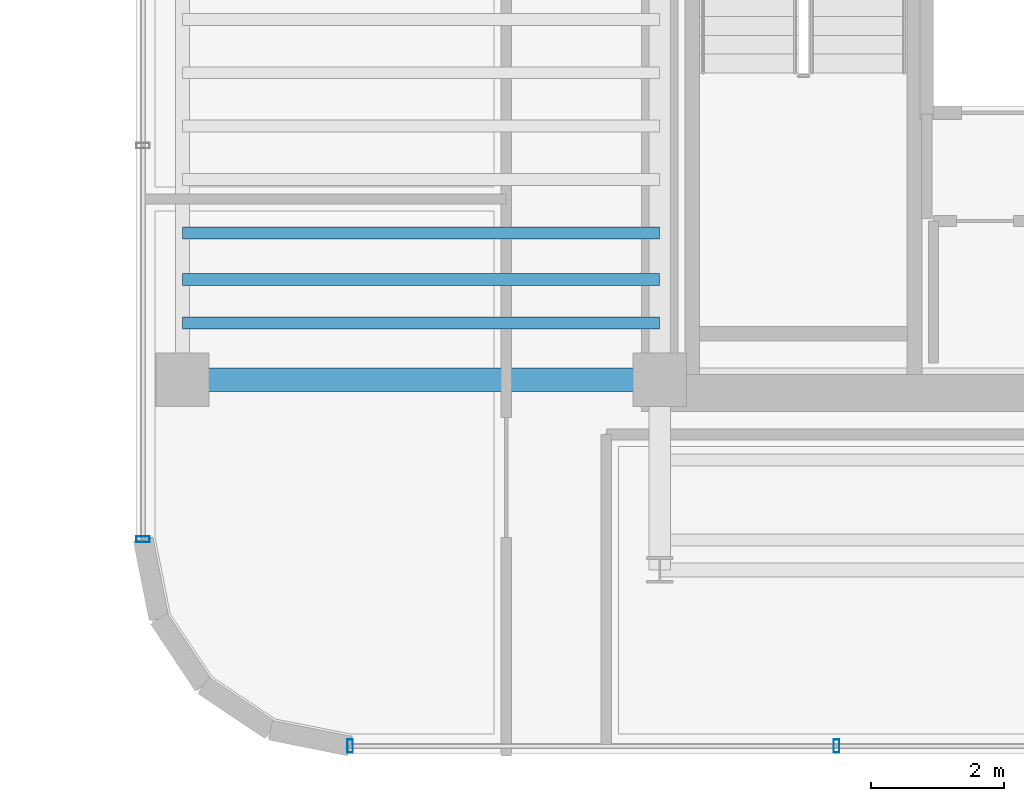
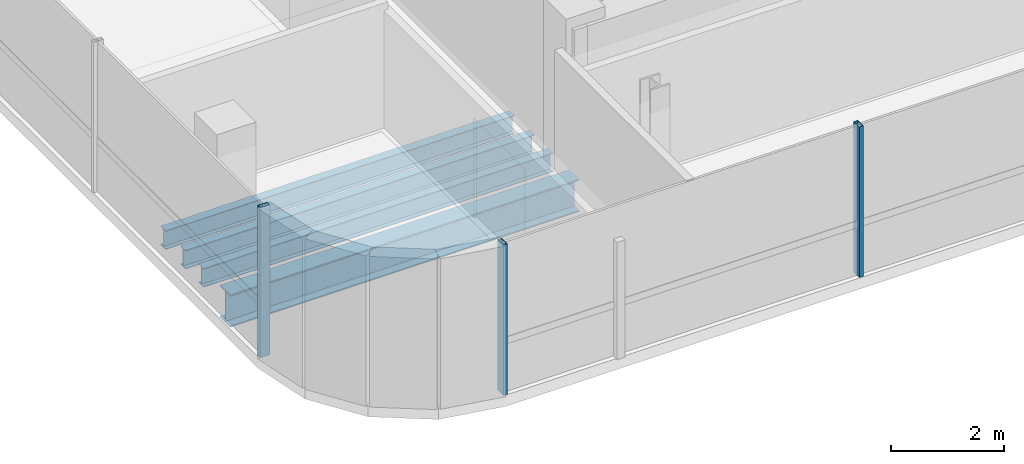
# One storey, part 2 of 21: 4 beams, 3 members, 2 elements without a shape of their own.
"""IFC4 building model written with IfcOpenShell, lengths in metres."""

from ifc_helpers import new_model, si_unit, direction, frame, origin, origin_2d, place, context, subcontext, project, spatial, hollow_rectangle, i_section, extrude, source, transform, mapped, material, material_profile, profile_set, type_object, element, aggregate, save


model = new_model("IFC4")

# Units and contexts
model_context = context("Model", 3, precision=1e-05, world=origin(), true_north=direction((0.0, 1.0)))
body_context = subcontext(model_context, "Body", "Model", "MODEL_VIEW")
ifc_project = project(units=[si_unit("LENGTHUNIT", "METRE"), si_unit("AREAUNIT", "SQUARE_METRE"), si_unit("VOLUMEUNIT", "CUBIC_METRE"), si_unit("PLANEANGLEUNIT", "RADIAN"), si_unit("MASSUNIT", "GRAM", prefix="KILO")], contexts=[model_context])

# Site, building, storey
site_placement = place(None, origin())
site = spatial("IfcSite", under=ifc_project, at=site_placement, CompositionType="ELEMENT")
building_placement = place(site_placement, origin())
building = spatial("IfcBuilding", under=site, at=building_placement, Name="Valdorenza Pilgrim Sanctuary Tower", CompositionType="ELEMENT")
storey_placement = place(building_placement, frame((0.0, 0.0, 251.0)))
storey = spatial("IfcBuildingStorey", under=building, at=storey_placement, Name="L65", CompositionType="ELEMENT", Elevation=251.0)

# Beams
ifc_material_1 = material(Name="Steel ASTM A992 Grade 50", Category="steel")
ifc_material_profile_1 = material_profile(ifc_material_1, i_section(OverallWidth=0.35595703125, OverallDepth=0.700927734375, WebThickness=0.016845703125, FlangeThickness=0.02734375, at=origin_2d()), Name="W27X161")
ifc_profile_set_1 = profile_set([ifc_material_profile_1], Name="Steel ASTM A992 Grade 50")
beam_type_1 = type_object("IfcBeamType", Name="STR-BM-GRD-W27", PredefinedType="BEAM", material=ifc_profile_set_1)
shared_shape_1 = source(origin(), body_context, "Body", "SweptSolid", [
    extrude(i_section(OverallWidth=0.35595703125, OverallDepth=0.700927734375, WebThickness=0.016845703125, FlangeThickness=0.02734375, at=origin_2d()), origin(), (0.0, 0.0, 1.0), 7.150146484375),
])
beam_placement = place(storey_placement, frame((-29.800048828125, -10.60009765625, -0.590576171875), z_axis=(1.0, 0.0, 0.0), x_axis=(0.0, 1.0, 0.0)))
element("IfcBeam", 1, at=beam_placement, inside=storey, type_object=beam_type_1, Name="L65 Floor Girder WA-XW-S1", PredefinedType="BEAM", context=body_context, shape_type="MappedRepresentation", body=[
    mapped(shared_shape_1, transform((0.0, 0.0, 0.0), x_axis=(1.0, 0.0, 0.0), y_axis=(0.0, 1.0, 0.0), z_axis=(0.0, 0.0, 1.0), scale=1.0)),
])
ifc_material_profile_2 = material_profile(ifc_material_1, i_section(OverallWidth=0.177978515625, OverallDepth=0.406005859375, WebThickness=0.0078125, FlangeThickness=0.0126953125, at=origin_2d()), Name="W16X40")
ifc_profile_set_2 = profile_set([ifc_material_profile_2], Name="Steel ASTM A992 Grade 50")
beam_type_2 = type_object("IfcBeamType", Name="STR-BM-JST-W16", PredefinedType="JOIST", material=ifc_profile_set_2)
shared_shape_2 = source(origin(), body_context, "Body", "SweptSolid", [
    extrude(i_section(OverallWidth=0.177978515625, OverallDepth=0.406005859375, WebThickness=0.0078125, FlangeThickness=0.0126953125, at=origin_2d()), origin(), (0.0, 0.0, 1.0), 7.150146484375),
])
for number, where, z_axis, x_axis, name in (
    (2, (-29.800048828125, -9.75, -0.443115234375), (1.0, 0.0, 0.0), (0.0, 1.0, 0.0), "L65 Composite Floor Joist JST-WA-1"),
    (3, (-29.800048828125, -9.10009765625, -0.443115234375), (1.0, 0.0, 0.0), (0.0, 1.0, 0.0), "L65 Composite Floor Joist JST-WA-2"),
    (4, (-29.800048828125, -8.39990234375, -0.443115234375), (1.0, 0.0, 0.0), (0.0, 1.0, 0.0), "L65 Composite Floor Joist JST-WA-3"),
):
    element("IfcBeam", number, at=place(storey_placement, frame(where, z_axis=z_axis, x_axis=x_axis)), inside=storey, type_object=beam_type_2, Name=name, PredefinedType="JOIST", context=body_context, shape_type="MappedRepresentation", body=[
        mapped(shared_shape_2, transform((0.0, 0.0, 0.0), x_axis=(1.0, 0.0, 0.0), y_axis=(0.0, 1.0, 0.0), z_axis=(0.0, 0.0, 1.0), scale=1.0)),
    ])

# Curtain wall, member
ifc_material_2 = material(Name="Curtain-wall IGU glazing", Category="glass")
curtain_wall_type = type_object("IfcCurtainWallType", Name="CW-SYS-02", PredefinedType="NOTDEFINED", material=ifc_material_2)
curtain_wall_1_placement = place(storey_placement, origin())
curtain_wall_1 = element("IfcCurtainWall", 5, at=curtain_wall_1_placement, inside=storey, type_object=curtain_wall_type, Name="L65 Curtain Wall CW-L65-1-1S1", PredefinedType="NOTDEFINED")
ifc_material_3 = material(Name="Anodised aluminium AW-6060", Category="aluminium")
ifc_material_profile_3 = material_profile(ifc_material_3, hollow_rectangle(XDim=0.0849609375, YDim=0.199951171875, WallThickness=0.0048828125, at=origin_2d()), Name="ALU-M 200x85x5")
ifc_profile_set_3 = profile_set([ifc_material_profile_3], Name="Anodised aluminium AW-6060")
member_type = type_object("IfcMemberType", Name="CW-MUL-02", PredefinedType="MULLION", material=ifc_profile_set_3)
shared_shape_3 = source(origin(), body_context, "Body", "SweptSolid", [
    extrude(hollow_rectangle(XDim=0.0849609375, YDim=0.199951171875, WallThickness=0.0048828125, at=origin_2d()), origin(), (0.0, 0.0, 1.0), 3.260009765625),
])
member_1_placement = place(storey_placement, frame((-30.389892578125, -12.9892578125, 0.0), z_axis=(0.0, 0.0, 1.0), x_axis=(0.0, 1.0, 0.0)))
member_1 = element("IfcMember", 6, at=member_1_placement, type_object=member_type, Name="CW-L65-1-1S1 Mullion 1", PredefinedType="MULLION", context=body_context, shape_type="MappedRepresentation", body=[
    mapped(shared_shape_3, transform((0.0, 0.0, 0.0), x_axis=(1.0, 0.0, 0.0), y_axis=(0.0, 1.0, 0.0), z_axis=(0.0, 0.0, 1.0), scale=1.0)),
])
aggregate(curtain_wall_1, [member_1])

# Curtain wall, members
curtain_wall_2_placement = place(storey_placement, origin())
curtain_wall_2 = element("IfcCurtainWall", 7, at=curtain_wall_2_placement, inside=storey, type_object=curtain_wall_type, Name="L65 Curtain Wall CW-L65-1-26", PredefinedType="NOTDEFINED")
member_2_placement = place(storey_placement, frame((-20.0, -16.090087890625, 0.0), z_axis=(0.0, 0.0, 1.0), x_axis=(-1.0, 0.0, 0.0)))
member_2 = element("IfcMember", 8, at=member_2_placement, type_object=member_type, Name="CW-L65-1-26 Mullion 2", PredefinedType="MULLION", context=body_context, shape_type="MappedRepresentation", body=[
    mapped(shared_shape_3, transform((0.0, 0.0, 0.0), x_axis=(1.0, 0.0, 0.0), y_axis=(0.0, 1.0, 0.0), z_axis=(0.0, 0.0, 1.0), scale=1.0)),
])
member_3_placement = place(storey_placement, frame((-27.289306640625, -16.090087890625, 0.0), z_axis=(0.0, 0.0, 1.0), x_axis=(-1.0, 0.0, 0.0)))
member_3 = element("IfcMember", 9, at=member_3_placement, type_object=member_type, Name="CW-L65-1-26 Mullion 3", PredefinedType="MULLION", context=body_context, shape_type="MappedRepresentation", body=[
    mapped(shared_shape_3, transform((0.0, 0.0, 0.0), x_axis=(1.0, 0.0, 0.0), y_axis=(0.0, 1.0, 0.0), z_axis=(0.0, 0.0, 1.0), scale=1.0)),
])
aggregate(curtain_wall_2, [member_2, member_3])

save(model, "model.ifc")
